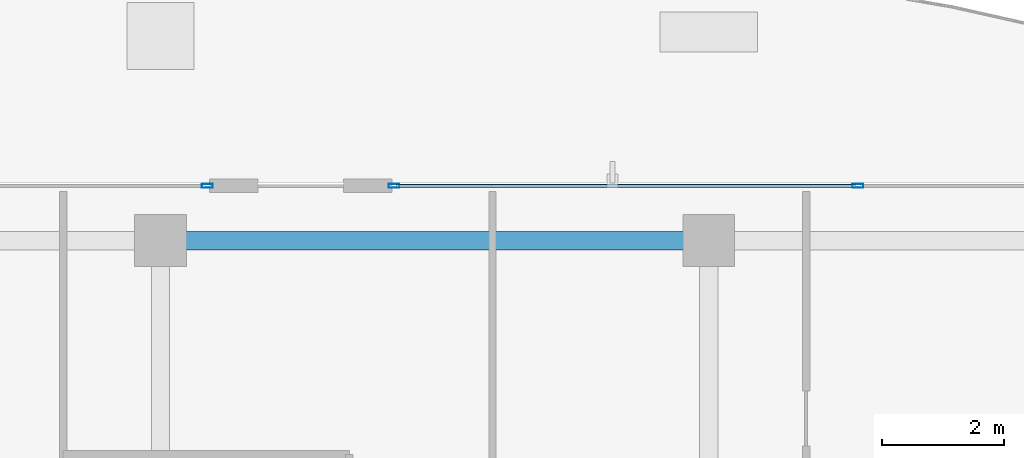
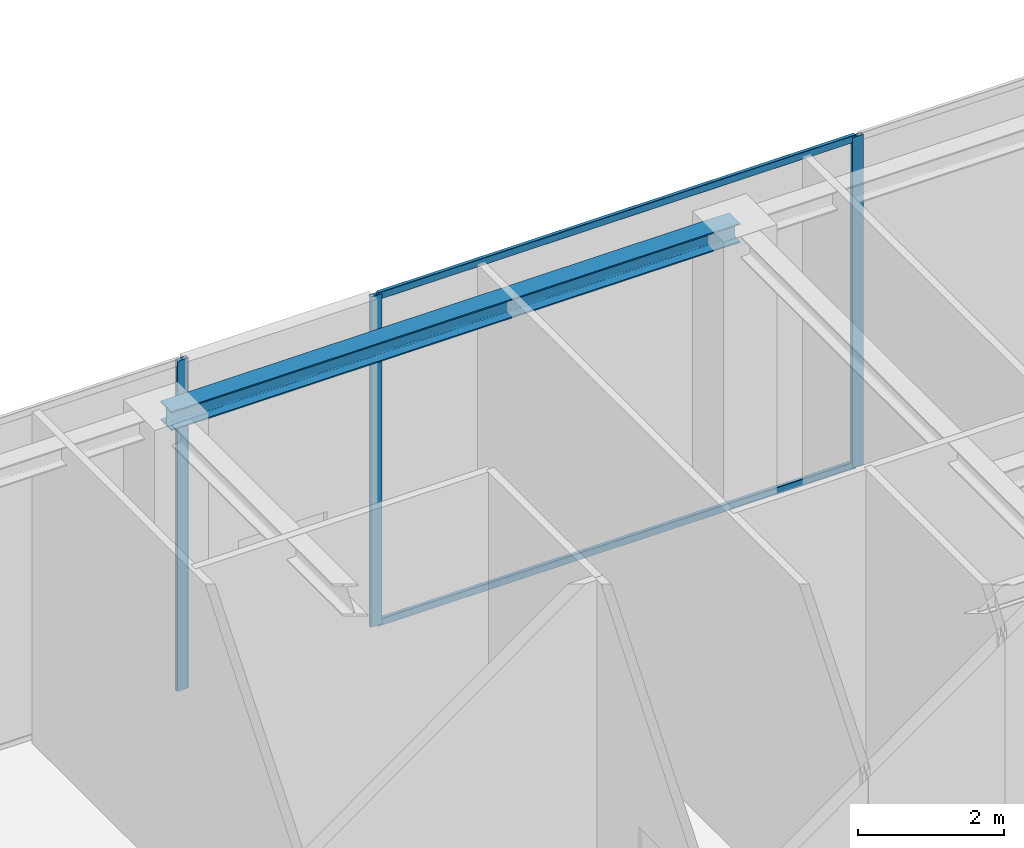
# One storey, part 21 of 38: 5 members, 1 beam, 2 elements without a shape of their own.
"""IFC4 building model written with IfcOpenShell, lengths in metres."""

from ifc_helpers import new_model, si_unit, direction, frame, origin, origin_2d, place, context, subcontext, project, spatial, hollow_rectangle, i_section, extrude, source, transform, mapped, material, layer, layer_set, material_profile, profile_set, type_object, element, aggregate, save


model = new_model("IFC4")

# Units and contexts
model_context = context("Model", 3, precision=1e-05, world=origin(), true_north=direction((0.0, 1.0)))
body_context = subcontext(model_context, "Body", "Model", "MODEL_VIEW")
ifc_project = project(units=[si_unit("LENGTHUNIT", "METRE"), si_unit("AREAUNIT", "SQUARE_METRE"), si_unit("VOLUMEUNIT", "CUBIC_METRE"), si_unit("PLANEANGLEUNIT", "RADIAN"), si_unit("MASSUNIT", "GRAM", prefix="KILO")], contexts=[model_context])

# Site, building, storey
site_placement = place(None, origin())
site = spatial("IfcSite", under=ifc_project, at=site_placement, CompositionType="ELEMENT")
building_placement = place(site_placement, origin())
building = spatial("IfcBuilding", under=site, at=building_placement, Name="Serunith Strait Residences", CompositionType="ELEMENT")
storey_placement = place(building_placement, frame((0.0, 0.0, 353.85009765625)))
storey = spatial("IfcBuildingStorey", under=building, at=storey_placement, Name="L87", CompositionType="ELEMENT", Elevation=353.85009765625)

# Beam
ifc_material_1 = material(Name="Steel S355J2", Category="steel")
ifc_material_profile_1 = material_profile(ifc_material_1, i_section(OverallWidth=0.300048828125, OverallDepth=0.320068359375, WebThickness=0.011474609375, FlangeThickness=0.0205078125, FilletRadius=0.027099609375, at=origin_2d()), Name="HEB 320")
ifc_profile_set_1 = profile_set([ifc_material_profile_1], Name="Steel S355J2")
beam_type = type_object("IfcBeamType", Name="BM-HEB320", PredefinedType="BEAM", material=ifc_profile_set_1)
shared_shape_1 = source(origin(), body_context, "Body", "SweptSolid", [
    extrude(i_section(OverallWidth=0.300048828125, OverallDepth=0.320068359375, WebThickness=0.011474609375, FlangeThickness=0.0205078125, FilletRadius=0.027099609375, at=origin_2d()), origin(), (0.0, 0.0, 1.0), 9.0),
])
beam_placement = place(storey_placement, frame((36.89990234375, 45.5, 5.376953125), z_axis=(-1.0, 0.0, 0.0), x_axis=(0.0, -1.0, 0.0)))
element("IfcBeam", 1, at=beam_placement, inside=storey, type_object=beam_type, Name="L87 Perimeter Ring Beam 10", PredefinedType="BEAM", context=body_context, shape_type="MappedRepresentation", body=[
    mapped(shared_shape_1, transform((0.0, 0.0, 0.0), scale=1.0)),
])

# Curtain wall, members
ifc_material_2 = material(Name="Brushed Stainless-Silver Aluminium", Category="aluminium")
ifc_layer = layer(ifc_material_2, 0.199951171875, Name="Brushed Stainless-Silver Aluminium")
ifc_layer_set = layer_set([ifc_layer], Name="Brushed Stainless-Silver Aluminium")
curtain_wall_type = type_object("IfcCurtainWallType", Name="CW-SYS5", PredefinedType="NOTDEFINED", material=ifc_layer_set)
curtain_wall_1_placement = place(storey_placement, origin())
curtain_wall_1 = element("IfcCurtainWall", 2, at=curtain_wall_1_placement, inside=storey, type_object=curtain_wall_type, Name="L87 N Unitised Fritted Curtain Wall", PredefinedType="NOTDEFINED")
ifc_material_profile_2 = material_profile(ifc_material_2, hollow_rectangle(XDim=0.06005859375, YDim=0.1201171875, WallThickness=0.00341796875, InnerFilletRadius=0.00537109375, OuterFilletRadius=0.0087890625, at=origin_2d()), Name="ALU 120x60x3.5")
ifc_profile_set_2 = profile_set([ifc_material_profile_2], Name="Brushed Stainless-Silver Aluminium")
member_type_1 = type_object("IfcMemberType", Name="CW-SYS5-TRAN", PredefinedType="USERDEFINED", material=ifc_profile_set_2)
shared_shape_2 = source(origin(), body_context, "Body", "SweptSolid", [
    extrude(hollow_rectangle(XDim=0.06005859375, YDim=0.1201171875, WallThickness=0.00341796875, InnerFilletRadius=0.00537109375, OuterFilletRadius=0.0087890625, at=origin_2d()), origin(), (0.0, 0.0, 1.0), 7.552490234375),
])
member_1_placement = place(storey_placement, frame((39.3173828125, 46.39990234375, 0.02978515625), z_axis=(-1.0, 0.0, 0.0), x_axis=(0.0, -1.0, 0.0)))
member_1 = element("IfcMember", 3, at=member_1_placement, type_object=member_type_1, Name="CW-5 transom 2.1", ObjectType="TRANSOM", PredefinedType="USERDEFINED", context=body_context, shape_type="MappedRepresentation", body=[
    mapped(shared_shape_2, transform((0.0, 0.0, 0.0), scale=1.0)),
])
member_2_placement = place(storey_placement, frame((39.3173828125, 46.39990234375, 5.494873046875), z_axis=(-1.0, 0.0, 0.0), x_axis=(0.0, -1.0, 0.0)))
member_2 = element("IfcMember", 4, at=member_2_placement, type_object=member_type_1, Name="CW-5 transom 2.2", ObjectType="TRANSOM", PredefinedType="USERDEFINED", context=body_context, shape_type="MappedRepresentation", body=[
    mapped(shared_shape_2, transform((0.0, 0.0, 0.0), scale=1.0)),
])
ifc_material_profile_3 = material_profile(ifc_material_2, hollow_rectangle(XDim=0.06494140625, YDim=0.179931640625, WallThickness=0.00341796875, InnerFilletRadius=0.00537109375, OuterFilletRadius=0.0087890625, at=origin_2d()), Name="ALU 180x65x3.5")
ifc_profile_set_3 = profile_set([ifc_material_profile_3], Name="Brushed Stainless-Silver Aluminium")
member_type_2 = type_object("IfcMemberType", Name="CW-SYS5-MULL", PredefinedType="MULLION", material=ifc_profile_set_3)
shared_shape_3 = source(origin(), body_context, "Body", "SweptSolid", [
    extrude(hollow_rectangle(XDim=0.06494140625, YDim=0.179931640625, WallThickness=0.00341796875, InnerFilletRadius=0.00537109375, OuterFilletRadius=0.0087890625, at=origin_2d()), origin(), (0.0, 0.0, 1.0), 5.52490234375),
])
member_3_placement = place(storey_placement, frame((39.35009765625, 46.39990234375, 0.0), z_axis=(0.0, 0.0, 1.0), x_axis=(0.0, -1.0, 0.0)))
member_3 = element("IfcMember", 5, at=member_3_placement, type_object=member_type_2, Name="CW-5 mullion 2", PredefinedType="MULLION", context=body_context, shape_type="MappedRepresentation", body=[
    mapped(shared_shape_3, transform((0.0, 0.0, 0.0), scale=1.0)),
])
member_4_placement = place(storey_placement, frame((31.732421875, 46.39990234375, 0.0), z_axis=(0.0, 0.0, 1.0), x_axis=(0.0, -1.0, 0.0)))
member_4 = element("IfcMember", 6, at=member_4_placement, type_object=member_type_2, Name="CW-5 mullion 3", PredefinedType="MULLION", context=body_context, shape_type="MappedRepresentation", body=[
    mapped(shared_shape_3, transform((0.0, 0.0, 0.0), scale=1.0)),
])
aggregate(curtain_wall_1, [member_3, member_4, member_1, member_2])

# Curtain wall, member
curtain_wall_2_placement = place(storey_placement, origin())
curtain_wall_2 = element("IfcCurtainWall", 7, at=curtain_wall_2_placement, inside=storey, type_object=curtain_wall_type, Name="L87 N Unitised Fritted Curtain Wall", PredefinedType="NOTDEFINED")
member_5_placement = place(storey_placement, frame((28.66748046875, 46.39990234375, 0.0), z_axis=(0.0, 0.0, 1.0), x_axis=(0.0, -1.0, 0.0)))
member_5 = element("IfcMember", 8, at=member_5_placement, type_object=member_type_2, Name="CW-5 mullion 1", PredefinedType="MULLION", context=body_context, shape_type="MappedRepresentation", body=[
    mapped(shared_shape_3, transform((0.0, 0.0, 0.0), scale=1.0)),
])
aggregate(curtain_wall_2, [member_5])

save(model, "model.ifc")
